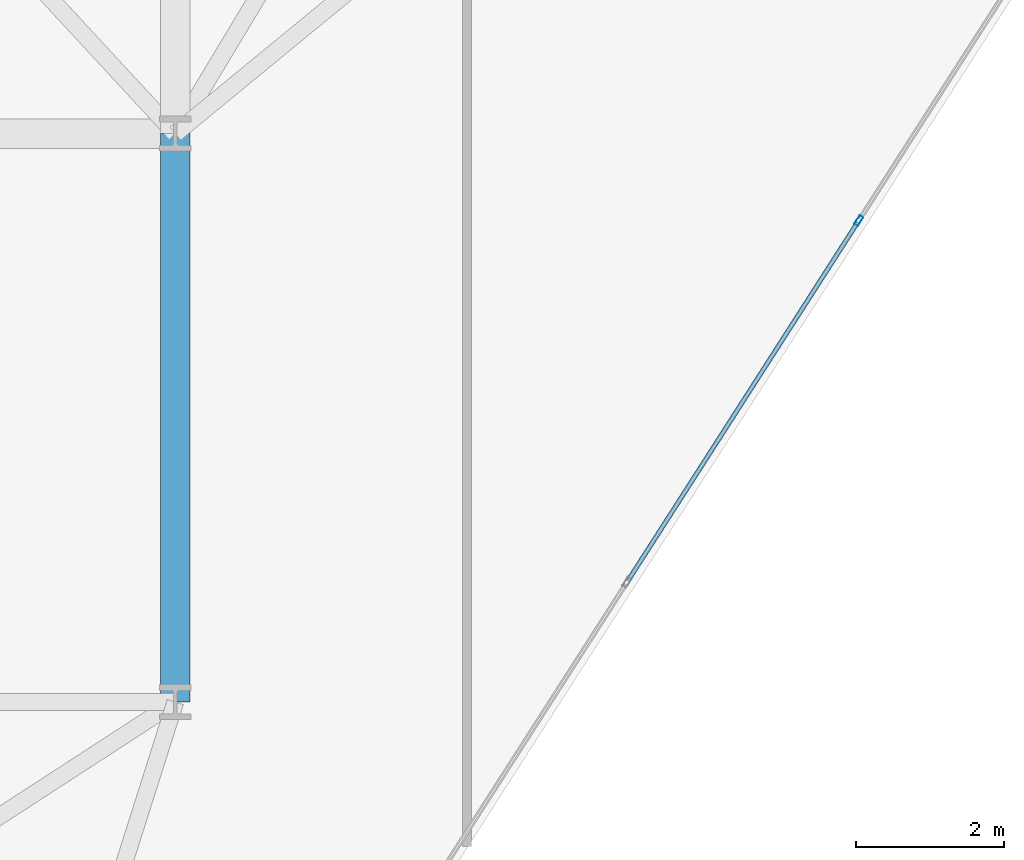
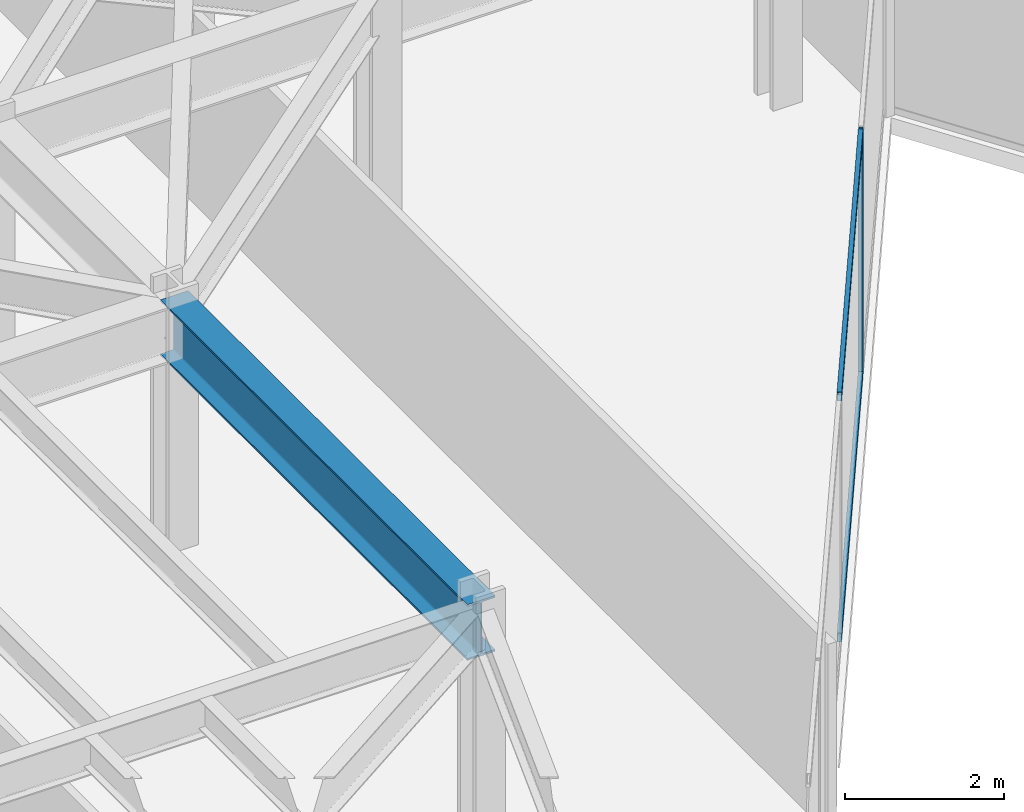
# One storey, part 8 of 26: 3 members, 1 beam, 1 element without a shape of its own.
"""IFC4 building model written with IfcOpenShell, lengths in metres."""

from ifc_helpers import new_model, si_unit, direction, frame, origin, origin_2d, place, context, subcontext, project, spatial, hollow_rectangle, i_section, extrude, material, layer, layer_set, material_profile, profile_set, type_object, element, aggregate, save


model = new_model("IFC4")

# Units and contexts
model_context = context("Model", 3, precision=1e-05, world=origin(), true_north=direction((0.0, 1.0)))
body_context = subcontext(model_context, "Body", "Model", "MODEL_VIEW")
ifc_project = project(units=[si_unit("LENGTHUNIT", "METRE"), si_unit("AREAUNIT", "SQUARE_METRE"), si_unit("VOLUMEUNIT", "CUBIC_METRE"), si_unit("PLANEANGLEUNIT", "RADIAN"), si_unit("MASSUNIT", "GRAM", prefix="KILO")], contexts=[model_context])

# Site, building, storey
site_placement = place(None, origin())
site = spatial("IfcSite", under=ifc_project, at=site_placement, CompositionType="ELEMENT")
building_placement = place(site_placement, origin())
building = spatial("IfcBuilding", under=site, at=building_placement, Name="Kravanh Interchange Tower", CompositionType="ELEMENT")
storey_placement = place(building_placement, frame((0.0, 0.0, 100.0)))
storey = spatial("IfcBuildingStorey", under=building, at=storey_placement, Name="L23", CompositionType="ELEMENT", Elevation=100.0)

# Curtain wall, members
ifc_material_1 = material(Name="Anodised Bronze Aluminium", Category="aluminium")
ifc_layer = layer(ifc_material_1, 0.179931640625)
ifc_layer_set = layer_set([ifc_layer], Name="Unitised Curtain Wall System CW-Z2 Mid Office")
curtain_wall_type = type_object("IfcCurtainWallType", Name="Unitised Curtain Wall System CW-Z2 Mid Office", PredefinedType="NOTDEFINED", material=ifc_layer_set)
curtain_wall_placement = place(storey_placement, origin())
curtain_wall = element("IfcCurtainWall", 1, at=curtain_wall_placement, inside=storey, type_object=curtain_wall_type, Name="L23 Unitised Curtain Wall CW-L23-05", PredefinedType="NOTDEFINED")
ifc_material_2 = material(Name="Anodised Bronze Aluminium", Category="aluminium")
ifc_material_profile_1 = material_profile(ifc_material_2, hollow_rectangle(XDim=0.06005859375, YDim=0.139892578125, WallThickness=0.00390625, at=origin_2d()), Name="ALU60X140X4")
ifc_profile_set_1 = profile_set([ifc_material_profile_1], Name="Anodised Bronze Aluminium")
member_type_1 = type_object("IfcMemberType", Name="Curtain Wall Mullion ALU60X140X4 Bronze", PredefinedType="MULLION", material=ifc_profile_set_1)
member_1_placement = place(storey_placement, frame((36.45849609375, 21.021728515625, 0.0), z_axis=(0.0, 0.0, 1.0), x_axis=(0.841879939476, -0.539664865919, 0.0)))
member_1 = element("IfcMember", 2, at=member_1_placement, type_object=member_type_1, Name="CW-Z2 mullion 2", PredefinedType="MULLION", context=body_context, shape_type="SweptSolid", body=[
    extrude(hollow_rectangle(XDim=0.06005859375, YDim=0.139892578125, WallThickness=0.00390625, at=origin_2d()), origin(), (0.0, 0.0, 1.0), 3.75),
])
ifc_material_3 = material(Name="Anodised Bronze Aluminium", Category="aluminium")
ifc_material_profile_2 = material_profile(ifc_material_3, hollow_rectangle(XDim=0.06005859375, YDim=0.139892578125, WallThickness=0.00390625, at=origin_2d()), Name="ALU60X140X4")
ifc_profile_set_2 = profile_set([ifc_material_profile_2], Name="Anodised Bronze Aluminium")
member_type_2 = type_object("IfcMemberType", Name="Curtain Wall Transom ALU60X140X4 Bronze", PredefinedType="USERDEFINED", material=ifc_profile_set_2)
member_2_placement = place(storey_placement, frame((36.4423828125, 20.99658203125, 0.030029296875), z_axis=(-0.539647630778, -0.841890987359, 0.0), x_axis=(0.841890987359, -0.539647630778, 0.0)))
member_2 = element("IfcMember", 3, at=member_2_placement, type_object=member_type_2, Name="CW-Z2 transom 2.1", ObjectType="TRANSOM", PredefinedType="USERDEFINED", context=body_context, shape_type="SweptSolid", body=[
    extrude(hollow_rectangle(XDim=0.06005859375, YDim=0.139892578125, WallThickness=0.00390625, at=origin_2d()), origin(), (0.0, 0.0, 1.0), 5.760986328125),
])
member_3_placement = place(storey_placement, frame((36.4423828125, 20.99658203125, 3.719970703125), z_axis=(-0.539647630778, -0.841890987359, 0.0), x_axis=(0.841890987359, -0.539647630778, 0.0)))
member_3 = element("IfcMember", 4, at=member_3_placement, type_object=member_type_2, Name="CW-Z2 transom 2.2", ObjectType="TRANSOM", PredefinedType="USERDEFINED", context=body_context, shape_type="SweptSolid", body=[
    extrude(hollow_rectangle(XDim=0.06005859375, YDim=0.139892578125, WallThickness=0.00390625, at=origin_2d()), origin(), (0.0, 0.0, 1.0), 5.760986328125),
])
aggregate(curtain_wall, [member_1, member_2, member_3])

# Beam
ifc_material_4 = material(Name="Structural Steel S355", Category="steel")
ifc_material_profile_3 = material_profile(ifc_material_4, i_section(OverallWidth=0.39990234375, OverallDepth=0.85595703125, WebThickness=0.018310546875, FlangeThickness=0.029296875, FilletRadius=0.02490234375, at=origin_2d()), Name="W33X201")
ifc_profile_set_3 = profile_set([ifc_material_profile_3], Name="Structural Steel S355")
beam_type = type_object("IfcBeamType", Name="Floor Beam W33X201 Structural Steel S355", PredefinedType="BEAM", material=ifc_profile_set_3)
beam_placement = place(storey_placement, frame((27.199951171875, 14.5, 3.322021484375), z_axis=(0.0, 1.0, 0.0), x_axis=(-1.0, 0.0, 0.0)))
element("IfcBeam", 5, at=beam_placement, inside=storey, type_object=beam_type, Name="L23 Primary Floor Girder 102", PredefinedType="BEAM", context=body_context, shape_type="SweptSolid", body=[
    extrude(i_section(OverallWidth=0.39990234375, OverallDepth=0.85595703125, WebThickness=0.018310546875, FlangeThickness=0.029296875, FilletRadius=0.02490234375, at=origin_2d()), origin(), (0.0, 0.0, 1.0), 7.699951171875),
])

save(model, "model.ifc")
